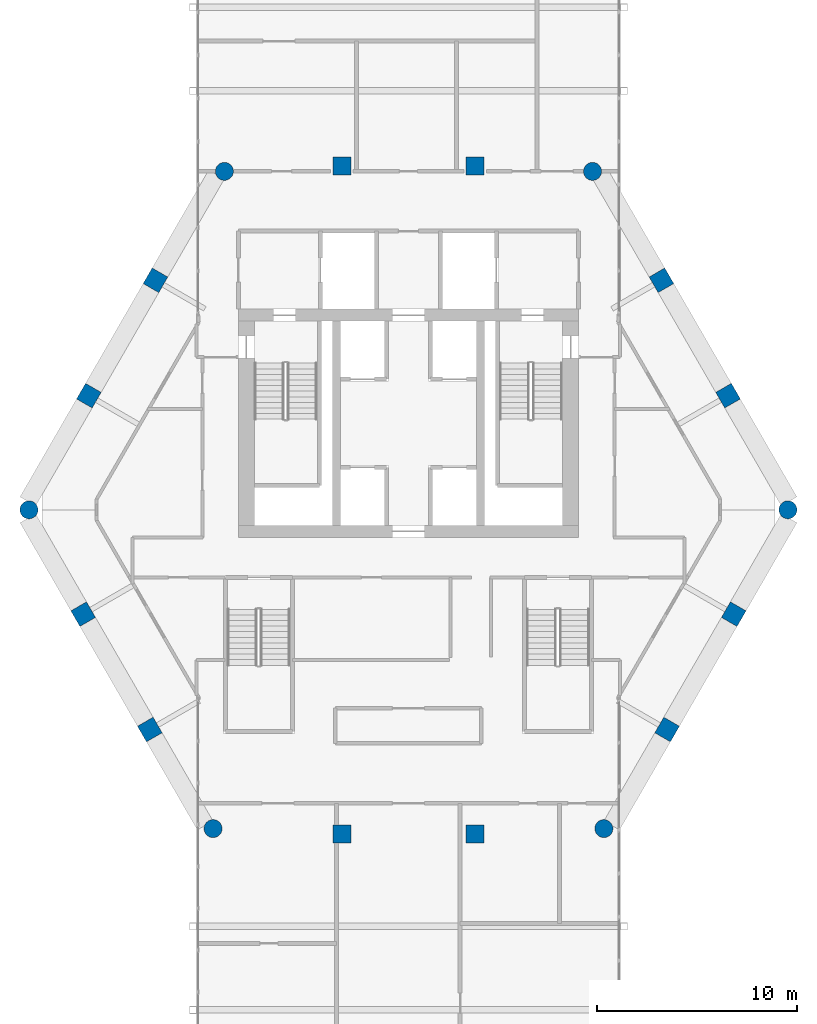
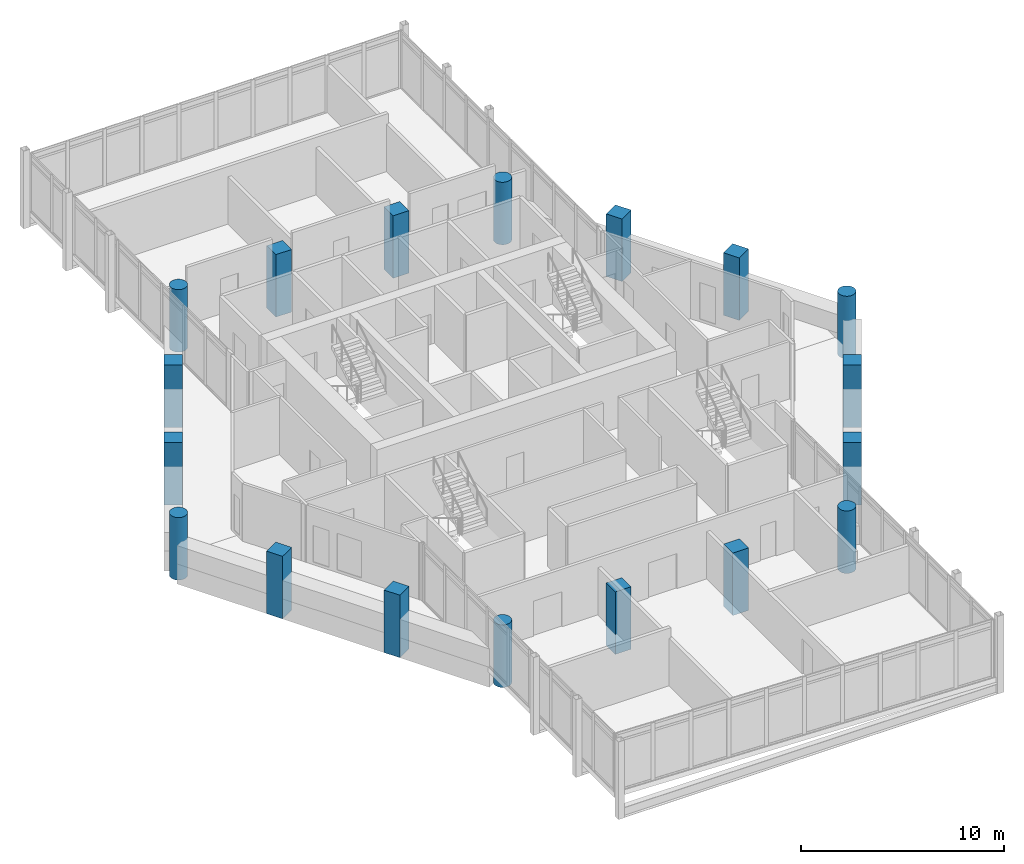
# One storey, part 1 of 25: 18 columns.
"""IFC4 building model written with IfcOpenShell, lengths in metres."""

from ifc_helpers import new_model, si_unit, direction, frame, origin, origin_2d, place, context, subcontext, project, spatial, rectangle, circle, extrude, material, material_profile, profile_set, type_object, element, save


model = new_model("IFC4")

# Units and contexts
model_context = context("Model", 3, precision=1e-05, world=origin(), true_north=direction((0.0, 1.0)))
body_context = subcontext(model_context, "Body", "Model", "MODEL_VIEW")
ifc_project = project(units=[si_unit("LENGTHUNIT", "METRE"), si_unit("AREAUNIT", "SQUARE_METRE"), si_unit("VOLUMEUNIT", "CUBIC_METRE"), si_unit("PLANEANGLEUNIT", "RADIAN"), si_unit("MASSUNIT", "GRAM", prefix="KILO")], contexts=[model_context])

# Site, building, storey
site_placement = place(None, origin())
site = spatial("IfcSite", under=ifc_project, at=site_placement, CompositionType="ELEMENT")
building_placement = place(site_placement, origin())
building = spatial("IfcBuilding", under=site, at=building_placement, Name="Ostrander Bayou Hotel Tower", CompositionType="ELEMENT")
storey_placement = place(building_placement, frame((0.0, 0.0, 233.25)))
storey = spatial("IfcBuildingStorey", under=building, at=storey_placement, Name="L58", CompositionType="ELEMENT", Elevation=233.25)

# Columns
ifc_material_1 = material(Name="Concrete f'c 60 MPa", Category="concrete")
ifc_material_profile_1 = material_profile(ifc_material_1, circle(Radius=0.449951171875, at=origin_2d()))
ifc_profile_set_1 = profile_set([ifc_material_profile_1], Name="Concrete f'c 60 MPa")
column_type_1 = type_object("IfcColumnType", Name="C7 round column 900 mm f'c 60 MPa", PredefinedType="COLUMN", material=ifc_profile_set_1)
for number, where, z_axis, x_axis, name in (
    (1, (-9.19970703125, 16.588623046875, -1.199951171875), (0.0, 0.0, 1.0), (1.0, 0.0, 0.0), "C7 L58 K0"),
    (2, (-18.966064453125, -0.327392578125, -1.199951171875), (0.0, 0.0, 1.0), (1.0, 0.0, 0.0), "C7 L58 K1"),
    (3, (-9.7666015625, -16.261474609375, -1.199951171875), (0.0, 0.0, 1.0), (1.0, 0.0, 0.0), "C7 L58 K2"),
    (4, (9.7666015625, -16.261474609375, -1.199951171875), (0.0, 0.0, 1.0), (1.0, 0.0, 0.0), "C7 L58 K3"),
    (5, (18.966064453125, -0.327392578125, -1.199951171875), (0.0, 0.0, 1.0), (1.0, 0.0, 0.0), "C7 L58 K4"),
    (6, (9.19970703125, 16.588623046875, -1.199951171875), (0.0, 0.0, 1.0), (1.0, 0.0, 0.0), "C7 L58 K5"),
):
    element("IfcColumn", number, at=place(storey_placement, frame(where, z_axis=z_axis, x_axis=x_axis)), inside=storey, type_object=column_type_1, Name=name, PredefinedType="COLUMN", context=body_context, shape_type="SweptSolid", body=[
        extrude(circle(Radius=0.449951171875, at=origin_2d()), origin(), (0.0, 0.0, 1.0), 3.75),
    ])
ifc_material_2 = material(Name="Concrete f'c 60 MPa", Category="concrete")
ifc_material_profile_2 = material_profile(ifc_material_2, rectangle(XDim=0.89990234375, YDim=0.89990234375, at=origin_2d()))
ifc_profile_set_2 = profile_set([ifc_material_profile_2], Name="Concrete f'c 60 MPa")
column_type_2 = type_object("IfcColumnType", Name="C8 square column 900 x 900 mm f'c 60 MPa", PredefinedType="COLUMN", material=ifc_profile_set_2)
for number, where, z_axis, x_axis, name in (
    (7, (3.329345703125, 16.85009765625, -1.199951171875), (0.0, 0.0, 1.0), (1.0, 0.0, 0.0), "C8 L58 N1"),
    (8, (-3.329345703125, 16.85009765625, -1.199951171875), (0.0, 0.0, 1.0), (1.0, 0.0, 0.0), "C8 L58 N2"),
    (9, (-12.644287109375, 11.144775390625, -1.199951171875), (0.0, 0.0, 1.0), (0.5, 0.866025403784, 0.0), "C8 L58 NW1"),
    (10, (-15.973876953125, 5.3779296875, -1.199951171875), (0.0, 0.0, 1.0), (0.5, 0.866025403784, 0.0), "C8 L58 NW2"),
    (11, (-16.257080078125, -5.541748046875, -1.199951171875), (0.0, 0.0, 1.0), (-0.5, 0.866025403784, 0.0), "C8 L58 SW1"),
    (12, (-12.927734375, -11.308349609375, -1.199951171875), (0.0, 0.0, 1.0), (-0.5, 0.866025403784, 0.0), "C8 L58 SW2"),
    (13, (-3.329345703125, -16.522705078125, -1.199951171875), (0.0, 0.0, 1.0), (-1.0, 0.0, 0.0), "C8 L58 S1"),
    (14, (3.329345703125, -16.522705078125, -1.199951171875), (0.0, 0.0, 1.0), (-1.0, 0.0, 0.0), "C8 L58 S2"),
    (15, (12.927734375, -11.308349609375, -1.199951171875), (0.0, 0.0, 1.0), (-0.5, -0.866025403784, 0.0), "C8 L58 SE1"),
    (16, (16.257080078125, -5.541748046875, -1.199951171875), (0.0, 0.0, 1.0), (-0.5, -0.866025403784, 0.0), "C8 L58 SE2"),
    (17, (15.973876953125, 5.3779296875, -1.199951171875), (0.0, 0.0, 1.0), (0.5, -0.866025403784, 0.0), "C8 L58 NE1"),
    (18, (12.644287109375, 11.144775390625, -1.199951171875), (0.0, 0.0, 1.0), (0.5, -0.866025403784, 0.0), "C8 L58 NE2"),
):
    element("IfcColumn", number, at=place(storey_placement, frame(where, z_axis=z_axis, x_axis=x_axis)), inside=storey, type_object=column_type_2, Name=name, PredefinedType="COLUMN", context=body_context, shape_type="SweptSolid", body=[
        extrude(rectangle(XDim=0.89990234375, YDim=0.89990234375, at=origin_2d()), origin(), (0.0, 0.0, 1.0), 3.75),
    ])

save(model, "model.ifc")
